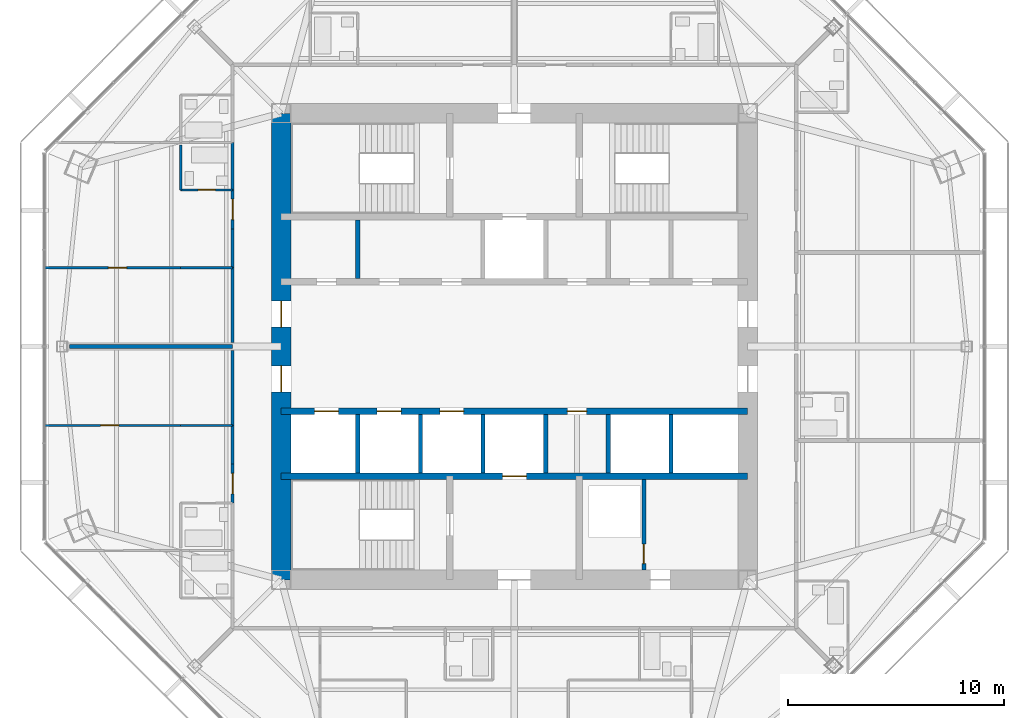
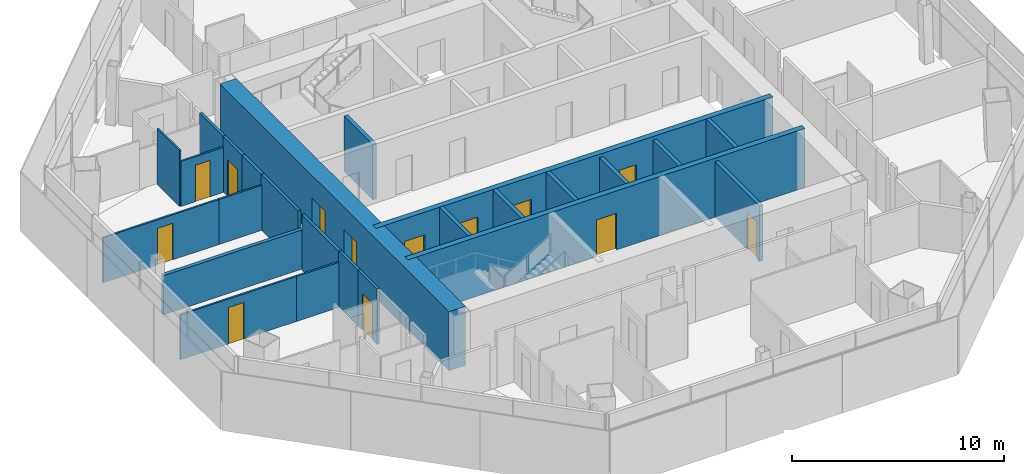
# One storey, part 10 of 15: 25 walls, 13 doors, 13 openings.
"""IFC4 building model written with IfcOpenShell, lengths in metres."""

from ifc_helpers import new_model, si_unit, direction, frame, frame_2d, origin, place, context, subcontext, project, spatial, rectangle, extrude, material, layer, layer_set, type_object, element, fill, save


model = new_model("IFC4")

# Units and contexts
model_context = context("Model", 3, precision=1e-05, world=origin(), true_north=direction((0.0, 1.0)))
body_context = subcontext(model_context, "Body", "Model", "MODEL_VIEW")
ifc_project = project(units=[si_unit("LENGTHUNIT", "METRE"), si_unit("AREAUNIT", "SQUARE_METRE"), si_unit("VOLUMEUNIT", "CUBIC_METRE"), si_unit("PLANEANGLEUNIT", "RADIAN"), si_unit("MASSUNIT", "GRAM", prefix="KILO")], contexts=[model_context])

# Site, building, storey
site_placement = place(None, origin())
site = spatial("IfcSite", under=ifc_project, at=site_placement, CompositionType="ELEMENT")
building_placement = place(site_placement, origin())
building = spatial("IfcBuilding", under=site, at=building_placement, Name="Mashrafa Tower", CompositionType="ELEMENT")
storey_placement = place(building_placement, frame((0.0, 0.0, 221.0)))
storey = spatial("IfcBuildingStorey", under=building, at=storey_placement, Name="L51", CompositionType="ELEMENT", Elevation=221.0)

# Wall
ifc_material_1 = material(Name="Gypsum board on steel studs", Category="steel")
ifc_layer_1 = layer(ifc_material_1, 0.199951171875)
ifc_layer_set_1 = layer_set([ifc_layer_1], Name="Acoustic partition 200 1 hr")
wall_type_1 = type_object("IfcWallType", Name="Acoustic partition 200 1 hr", PredefinedType="PARTITIONING", material=ifc_layer_set_1)
wall_1_placement = place(storey_placement, frame((-20.59765625, 0.0, 0.0), z_axis=(0.0, 0.0, 1.0), x_axis=(1.0, 0.0, 0.0)))
element("IfcWall", 1, at=wall_1_placement, inside=storey, type_object=wall_type_1, Name="Acoustic wall L51-097", PredefinedType="PARTITIONING", context=body_context, shape_type="SweptSolid", body=[
    extrude(rectangle(XDim=7.547607421875, YDim=0.199951171875, at=frame_2d((3.77392578125, 0.0))), origin(), (0.0, 0.0, 1.0), 2.2529296875),
])

# Wall, opening, door
ifc_material_2 = material(Name="Concrete masonry unit", Category="masonry")
ifc_layer_2 = layer(ifc_material_2, 0.199951171875)
ifc_layer_set_2 = layer_set([ifc_layer_2], Name="Blockwork wall 200 2 hr")
wall_type_2 = type_object("IfcWallType", Name="Blockwork wall 200 2 hr", PredefinedType="PARTITIONING", material=ifc_layer_set_2)
wall_2_placement = place(storey_placement, frame((6.0, -10.35009765625, 0.0), z_axis=(0.0, 0.0, 1.0), x_axis=(0.0, 1.0, 0.0)))
wall_2 = element("IfcWall", 2, at=wall_2_placement, inside=storey, type_object=wall_type_2, Name="Riser enclosure wall L51", PredefinedType="PARTITIONING", context=body_context, shape_type="SweptSolid", body=[
    extrude(rectangle(XDim=4.2001953125, YDim=0.199951171875, at=frame_2d((2.10009765625, 0.0))), origin(), (0.0, 0.0, 1.0), 3.199951171875),
])
opening_1_placement = place(wall_2_placement, frame((0.300048828125, 0.0, 0.0)))
opening_1 = element("IfcOpeningElement", 3, at=opening_1_placement, cuts=wall_2, Name="Opening 51.040", PredefinedType="OPENING", context=body_context, shape_type="SweptSolid", body=[
    extrude(rectangle(XDim=0.89990234375, YDim=2.10009765625, at=frame_2d((0.449951171875, 1.050048828125))), frame((0.0, 0.10986328125, 0.0), z_axis=(0.0, -1.0, 0.0), x_axis=(1.0, 0.0, 0.0)), (0.0, 0.0, 1.0), 0.219970703125),
])
ifc_material_3 = material(Name="Steel door", Category="steel")
door_type_1 = type_object("IfcDoorType", Name="Service door 900 x 2100 90 min", OperationType="USERDEFINED", PredefinedType="DOOR", material=ifc_material_3)
door_1_placement = place(opening_1_placement, origin())
door_1 = element("IfcDoor", 4, at=door_1_placement, inside=storey, type_object=door_type_1, Name="Riser door L51", OperationType="SINGLE_SWING_LEFT", OverallHeight=2.10009765625, OverallWidth=0.89990234375, PredefinedType="DOOR", context=body_context, shape_type="SweptSolid", body=[
    extrude(rectangle(XDim=0.89990234375, YDim=2.10009765625, at=frame_2d((0.449951171875, 1.050048828125))), frame((0.0, 0.02490234375, 0.0), z_axis=(0.0, -1.0, 0.0), x_axis=(1.0, 0.0, 0.0)), (0.0, 0.0, 1.0), 0.050048828125),
])
fill(opening_1, door_1)

# Wall, openings, doors
ifc_material_4 = material(Name="Concrete C50/60", Category="concrete")
ifc_layer_3 = layer(ifc_material_4, 0.300048828125)
ifc_layer_set_3 = layer_set([ifc_layer_3], Name="Core wall 300 C50/60")
wall_type_3 = type_object("IfcWallType", Name="Core wall 300 C50/60", PredefinedType="SOLIDWALL", material=ifc_layer_set_3)
wall_3_placement = place(storey_placement, frame((-10.800048828125, -3.0, 0.0), z_axis=(0.0, 0.0, 1.0), x_axis=(1.0, 0.0, 0.0)))
wall_3 = element("IfcWall", 5, at=wall_3_placement, inside=storey, type_object=wall_type_3, Name="Core wall CH-S L51", PredefinedType="SOLIDWALL", context=body_context, shape_type="SweptSolid", body=[
    extrude(rectangle(XDim=21.60009765625, YDim=0.300048828125, at=frame_2d((10.800048828125, 0.0))), origin(), (0.0, 0.0, 1.0), 3.39990234375),
])
opening_2_placement = place(wall_3_placement, frame((13.25, 0.0, 0.0)))
opening_2 = element("IfcOpeningElement", 6, at=opening_2_placement, cuts=wall_3, Name="Opening 51.045", PredefinedType="OPENING", context=body_context, shape_type="SweptSolid", body=[
    extrude(rectangle(XDim=0.89990234375, YDim=2.10009765625, at=frame_2d((0.449951171875, 1.050048828125))), frame((0.0, 0.159912109375, 0.0), z_axis=(0.0, -1.0, 0.0), x_axis=(1.0, 0.0, 0.0)), (0.0, 0.0, 1.0), 0.320068359375),
])
opening_3_placement = place(wall_3_placement, frame((1.550048828125, 0.0, 0.0)))
opening_3 = element("IfcOpeningElement", 7, at=opening_3_placement, cuts=wall_3, Name="Opening 51.AL1", PredefinedType="OPENING", context=body_context, shape_type="SweptSolid", body=[
    extrude(rectangle(XDim=1.10009765625, YDim=2.10009765625, at=frame_2d((0.550048828125, 1.050048828125))), frame((0.0, 0.159912109375, 0.0), z_axis=(0.0, -1.0, 0.0), x_axis=(1.0, 0.0, 0.0)), (0.0, 0.0, 1.0), 0.320068359375),
])
opening_4_placement = place(wall_3_placement, frame((4.449951171875, 0.0, 0.0)))
opening_4 = element("IfcOpeningElement", 8, at=opening_4_placement, cuts=wall_3, Name="Opening 51.AL2", PredefinedType="OPENING", context=body_context, shape_type="SweptSolid", body=[
    extrude(rectangle(XDim=1.10009765625, YDim=2.10009765625, at=frame_2d((0.550048828125, 1.050048828125))), frame((0.0, 0.159912109375, 0.0), z_axis=(0.0, -1.0, 0.0), x_axis=(1.0, 0.0, 0.0)), (0.0, 0.0, 1.0), 0.320068359375),
])
opening_5_placement = place(wall_3_placement, frame((7.35009765625, 0.0, 0.0)))
opening_5 = element("IfcOpeningElement", 9, at=opening_5_placement, cuts=wall_3, Name="Opening 51.AL3", PredefinedType="OPENING", context=body_context, shape_type="SweptSolid", body=[
    extrude(rectangle(XDim=1.10009765625, YDim=2.10009765625, at=frame_2d((0.550048828125, 1.050048828125))), frame((0.0, 0.159912109375, 0.0), z_axis=(0.0, -1.0, 0.0), x_axis=(1.0, 0.0, 0.0)), (0.0, 0.0, 1.0), 0.320068359375),
])
ifc_material_5 = material(Name="Steel door", Category="steel")
door_type_2 = type_object("IfcDoorType", Name="Lift landing door 1100 x 2100 90 min", OperationType="DOUBLE_DOOR_SLIDING", PredefinedType="DOOR", material=ifc_material_5)
door_2_placement = place(opening_3_placement, origin())
door_2 = element("IfcDoor", 10, at=door_2_placement, inside=storey, type_object=door_type_2, Name="Lift landing door AL1 L51", OperationType="DOUBLE_DOOR_SLIDING", OverallHeight=2.10009765625, OverallWidth=1.10009765625, PredefinedType="DOOR", context=body_context, shape_type="SweptSolid", body=[
    extrude(rectangle(XDim=1.10009765625, YDim=2.10009765625, at=frame_2d((0.550048828125, 1.050048828125))), frame((0.0, 0.02490234375, 0.0), z_axis=(0.0, -1.0, 0.0), x_axis=(1.0, 0.0, 0.0)), (0.0, 0.0, 1.0), 0.050048828125),
])
fill(opening_3, door_2)
door_3_placement = place(opening_4_placement, origin())
door_3 = element("IfcDoor", 11, at=door_3_placement, inside=storey, type_object=door_type_2, Name="Lift landing door AL2 L51", OperationType="DOUBLE_DOOR_SLIDING", OverallHeight=2.10009765625, OverallWidth=1.10009765625, PredefinedType="DOOR", context=body_context, shape_type="SweptSolid", body=[
    extrude(rectangle(XDim=1.10009765625, YDim=2.10009765625, at=frame_2d((0.550048828125, 1.050048828125))), frame((0.0, 0.02490234375, 0.0), z_axis=(0.0, -1.0, 0.0), x_axis=(1.0, 0.0, 0.0)), (0.0, 0.0, 1.0), 0.050048828125),
])
fill(opening_4, door_3)
door_4_placement = place(opening_5_placement, origin())
door_4 = element("IfcDoor", 12, at=door_4_placement, inside=storey, type_object=door_type_2, Name="Lift landing door AL3 L51", OperationType="DOUBLE_DOOR_SLIDING", OverallHeight=2.10009765625, OverallWidth=1.10009765625, PredefinedType="DOOR", context=body_context, shape_type="SweptSolid", body=[
    extrude(rectangle(XDim=1.10009765625, YDim=2.10009765625, at=frame_2d((0.550048828125, 1.050048828125))), frame((0.0, 0.02490234375, 0.0), z_axis=(0.0, -1.0, 0.0), x_axis=(1.0, 0.0, 0.0)), (0.0, 0.0, 1.0), 0.050048828125),
])
fill(opening_5, door_4)
ifc_material_6 = material(Name="Timber door", Category="wood")
door_type_3 = type_object("IfcDoorType", Name="Store door 900 x 2100", OperationType="USERDEFINED", PredefinedType="DOOR", material=ifc_material_6)
door_5_placement = place(opening_2_placement, frame((0.89990234375, 0.0, 0.0), z_axis=(0.0, 0.0, 1.0), x_axis=(-1.0, 0.0, 0.0)))
door_5 = element("IfcDoor", 13, at=door_5_placement, inside=storey, type_object=door_type_3, Name="Communications Room L51 door", OperationType="SINGLE_SWING_RIGHT", OverallHeight=2.10009765625, OverallWidth=0.89990234375, PredefinedType="DOOR", context=body_context, shape_type="SweptSolid", body=[
    extrude(rectangle(XDim=0.89990234375, YDim=2.10009765625, at=frame_2d((0.449951171875, 1.050048828125))), frame((0.0, 0.02490234375, 0.0), z_axis=(0.0, -1.0, 0.0), x_axis=(1.0, 0.0, 0.0)), (0.0, 0.0, 1.0), 0.050048828125),
])
fill(opening_2, door_5)

# Wall, opening, door
wall_4_placement = place(storey_placement, frame((-10.800048828125, -6.0, 0.0), z_axis=(0.0, 0.0, 1.0), x_axis=(1.0, 0.0, 0.0)))
wall_4 = element("IfcWall", 14, at=wall_4_placement, inside=storey, type_object=wall_type_3, Name="Core wall CB-S L51", PredefinedType="SOLIDWALL", context=body_context, shape_type="SweptSolid", body=[
    extrude(rectangle(XDim=21.60009765625, YDim=0.300048828125, at=frame_2d((10.800048828125, 0.0))), origin(), (0.0, 0.0, 1.0), 3.39990234375),
])
opening_6_placement = place(wall_4_placement, frame((10.25, 0.0, 0.0)))
opening_6 = element("IfcOpeningElement", 15, at=opening_6_placement, cuts=wall_4, Name="Opening 51.F2", PredefinedType="OPENING", context=body_context, shape_type="SweptSolid", body=[
    extrude(rectangle(XDim=1.10009765625, YDim=2.10009765625, at=frame_2d((0.550048828125, 1.050048828125))), frame((0.0, 0.159912109375, 0.0), z_axis=(0.0, -1.0, 0.0), x_axis=(1.0, 0.0, 0.0)), (0.0, 0.0, 1.0), 0.320068359375),
])
door_6_placement = place(opening_6_placement, origin())
door_6 = element("IfcDoor", 16, at=door_6_placement, inside=storey, type_object=door_type_2, Name="Lift landing door F2 L51", OperationType="DOUBLE_DOOR_SLIDING", OverallHeight=2.10009765625, OverallWidth=1.10009765625, PredefinedType="DOOR", context=body_context, shape_type="SweptSolid", body=[
    extrude(rectangle(XDim=1.10009765625, YDim=2.10009765625, at=frame_2d((0.550048828125, 1.050048828125))), frame((0.0, 0.02490234375, 0.0), z_axis=(0.0, -1.0, 0.0), x_axis=(1.0, 0.0, 0.0)), (0.0, 0.0, 1.0), 0.050048828125),
])
fill(opening_6, door_6)

# Wall, openings, doors
ifc_material_7 = material(Name="Concrete C50/60", Category="concrete")
ifc_layer_4 = layer(ifc_material_7, 0.89990234375)
ifc_layer_set_4 = layer_set([ifc_layer_4], Name="Core wall 900 C50/60")
wall_type_4 = type_object("IfcWallType", Name="Core wall 900 C50/60", PredefinedType="SOLIDWALL", material=ifc_layer_set_4)
wall_5_placement = place(storey_placement, frame((-10.800048828125, 10.800048828125, 0.0), z_axis=(0.0, 0.0, 1.0), x_axis=(0.0, -1.0, 0.0)))
wall_5 = element("IfcWall", 17, at=wall_5_placement, inside=storey, type_object=wall_type_4, Name="Core wall CW-W L51", PredefinedType="SOLIDWALL", context=body_context, shape_type="SweptSolid", body=[
    extrude(rectangle(XDim=21.60009765625, YDim=0.89990234375, at=frame_2d((10.800048828125, 0.0))), origin(), (0.0, 0.0, 1.0), 3.39990234375),
])
opening_7_placement = place(wall_5_placement, frame((8.699951171875, 0.0, 0.0)))
opening_7 = element("IfcOpeningElement", 18, at=opening_7_placement, cuts=wall_5, Name="Opening 51.031", PredefinedType="OPENING", context=body_context, shape_type="SweptSolid", body=[
    extrude(rectangle(XDim=1.199951171875, YDim=2.10009765625, at=frame_2d((0.60009765625, 1.050048828125))), frame((0.0, 0.4599609375, 0.0), z_axis=(0.0, -1.0, 0.0), x_axis=(1.0, 0.0, 0.0)), (0.0, 0.0, 1.0), 0.919921875),
])
opening_8_placement = place(wall_5_placement, frame((11.699951171875, 0.0, 0.0)))
opening_8 = element("IfcOpeningElement", 19, at=opening_8_placement, cuts=wall_5, Name="Opening 51.033", PredefinedType="OPENING", context=body_context, shape_type="SweptSolid", body=[
    extrude(rectangle(XDim=1.199951171875, YDim=2.10009765625, at=frame_2d((0.60009765625, 1.050048828125))), frame((0.0, 0.4599609375, 0.0), z_axis=(0.0, -1.0, 0.0), x_axis=(1.0, 0.0, 0.0)), (0.0, 0.0, 1.0), 0.919921875),
])
ifc_material_8 = material(Name="Steel door", Category="steel")
door_type_4 = type_object("IfcDoorType", Name="Lift hall door 1200 x 2100 90 min", OperationType="USERDEFINED", PredefinedType="DOOR", material=ifc_material_8)
door_7_placement = place(opening_7_placement, frame((1.199951171875, 0.0, 0.0), z_axis=(0.0, 0.0, 1.0), x_axis=(-1.0, 0.0, 0.0)))
door_7 = element("IfcDoor", 20, at=door_7_placement, inside=storey, type_object=door_type_4, Name="Lift hall door west L51", OperationType="SINGLE_SWING_RIGHT", OverallHeight=2.10009765625, OverallWidth=1.199951171875, PredefinedType="DOOR", context=body_context, shape_type="SweptSolid", body=[
    extrude(rectangle(XDim=1.199951171875, YDim=2.10009765625, at=frame_2d((0.60009765625, 1.050048828125))), frame((0.0, 0.02490234375, 0.0), z_axis=(0.0, -1.0, 0.0), x_axis=(1.0, 0.0, 0.0)), (0.0, 0.0, 1.0), 0.050048828125),
])
fill(opening_7, door_7)
door_8_placement = place(opening_8_placement, frame((1.199951171875, 0.0, 0.0), z_axis=(0.0, 0.0, 1.0), x_axis=(-1.0, 0.0, 0.0)))
door_8 = element("IfcDoor", 21, at=door_8_placement, inside=storey, type_object=door_type_4, Name="Lift hall door west L51", OperationType="SINGLE_SWING_LEFT", OverallHeight=2.10009765625, OverallWidth=1.199951171875, PredefinedType="DOOR", context=body_context, shape_type="SweptSolid", body=[
    extrude(rectangle(XDim=1.199951171875, YDim=2.10009765625, at=frame_2d((0.60009765625, 1.050048828125))), frame((0.0, 0.02490234375, 0.0), z_axis=(0.0, -1.0, 0.0), x_axis=(1.0, 0.0, 0.0)), (0.0, 0.0, 1.0), 0.050048828125),
])
fill(opening_8, door_8)

# Walls
ifc_material_9 = material(Name="Gypsum board on steel studs", Category="steel")
ifc_layer_5 = layer(ifc_material_9, 0.14990234375)
ifc_layer_set_5 = layer_set([ifc_layer_5], Name="Corridor partition 150 1 hr")
wall_type_5 = type_object("IfcWallType", Name="Corridor partition 150 1 hr", PredefinedType="PARTITIONING", material=ifc_layer_set_5)
wall_6_placement = place(storey_placement, frame((-13.050048828125, 9.450927734375, 0.0), z_axis=(0.0, 0.0, 1.0), x_axis=(0.0, -1.0, 0.0)))
element("IfcWall", 22, at=wall_6_placement, inside=storey, type_object=wall_type_5, Name="Corridor wall L51-036", PredefinedType="PARTITIONING", context=body_context, shape_type="SweptSolid", body=[
    extrude(rectangle(XDim=2.201904296875, YDim=0.14990234375, at=frame_2d((1.10107421875, 0.0))), origin(), (0.0, 0.0, 1.0), 3.199951171875),
])
wall_7_placement = place(storey_placement, frame((-13.050048828125, 5.450927734375, 0.0), z_axis=(0.0, 0.0, 1.0), x_axis=(0.0, -1.0, 0.0)))
element("IfcWall", 23, at=wall_7_placement, inside=storey, type_object=wall_type_5, Name="Corridor wall L51-037", PredefinedType="PARTITIONING", context=body_context, shape_type="SweptSolid", body=[
    extrude(rectangle(XDim=1.802001953125, YDim=0.14990234375, at=frame_2d((0.90087890625, 0.0))), origin(), (0.0, 0.0, 1.0), 3.199951171875),
])
wall_8_placement = place(storey_placement, frame((-13.050048828125, 3.65087890625, 0.0), z_axis=(0.0, 0.0, 1.0), x_axis=(0.0, -1.0, 0.0)))
element("IfcWall", 24, at=wall_8_placement, inside=storey, type_object=wall_type_5, Name="Corridor wall L51-038", PredefinedType="PARTITIONING", context=body_context, shape_type="SweptSolid", body=[
    extrude(rectangle(XDim=3.46728515625, YDim=0.14990234375, at=frame_2d((1.733642578125, 0.0))), origin(), (0.0, 0.0, 1.0), 3.199951171875),
])

# Wall, opening, door
wall_9_placement = place(storey_placement, frame((-13.050048828125, 7.2509765625, 0.0), z_axis=(0.0, 0.0, 1.0), x_axis=(0.0, -1.0, 0.0)))
wall_9 = element("IfcWall", 25, at=wall_9_placement, inside=storey, type_object=wall_type_5, Name="Corridor wall L51-039", PredefinedType="PARTITIONING", context=body_context, shape_type="SweptSolid", body=[
    extrude(rectangle(XDim=1.802001953125, YDim=0.14990234375, at=frame_2d((0.90087890625, 0.0))), origin(), (0.0, 0.0, 1.0), 3.199951171875),
])
opening_9_placement = place(wall_9_placement, frame((0.426025390625, 0.0, 0.0)))
opening_9 = element("IfcOpeningElement", 26, at=opening_9_placement, cuts=wall_9, Name="Opening 51.017", PredefinedType="OPENING", context=body_context, shape_type="SweptSolid", body=[
    extrude(rectangle(XDim=0.949951171875, YDim=2.10009765625, at=frame_2d((0.47509765625, 1.050048828125))), frame((0.0, 0.0849609375, 0.0), z_axis=(0.0, -1.0, 0.0), x_axis=(1.0, 0.0, 0.0)), (0.0, 0.0, 1.0), 0.169921875),
])
ifc_material_10 = material(Name="Steel door", Category="steel")
door_type_5 = type_object("IfcDoorType", Name="Residence entrance door 950 x 2100 20 min", OperationType="USERDEFINED", PredefinedType="DOOR", material=ifc_material_10)
door_9_placement = place(opening_9_placement, frame((0.949951171875, 0.0, 0.0), z_axis=(0.0, 0.0, 1.0), x_axis=(-1.0, 0.0, 0.0)))
door_9 = element("IfcDoor", 27, at=door_9_placement, inside=storey, type_object=door_type_5, Name="Apartment 5106 Living Room door", OperationType="SINGLE_SWING_LEFT", OverallHeight=2.10009765625, OverallWidth=0.949951171875, PredefinedType="DOOR", context=body_context, shape_type="SweptSolid", body=[
    extrude(rectangle(XDim=0.949951171875, YDim=2.10009765625, at=frame_2d((0.47509765625, 1.050048828125))), frame((0.0, 0.02490234375, 0.0), z_axis=(0.0, -1.0, 0.0), x_axis=(1.0, 0.0, 0.0)), (0.0, 0.0, 1.0), 0.050048828125),
])
fill(opening_9, door_9)

# Walls
wall_10_placement = place(storey_placement, frame((-13.050048828125, -3.64892578125, 0.0), z_axis=(0.0, 0.0, 1.0), x_axis=(0.0, -1.0, 0.0)))
element("IfcWall", 28, at=wall_10_placement, inside=storey, type_object=wall_type_5, Name="Corridor wall L51-045", PredefinedType="PARTITIONING", context=body_context, shape_type="SweptSolid", body=[
    extrude(rectangle(XDim=1.802001953125, YDim=0.14990234375, at=frame_2d((0.90087890625, 0.0))), origin(), (0.0, 0.0, 1.0), 3.199951171875),
])
wall_11_placement = place(storey_placement, frame((-13.050048828125, -0.18359375, 0.0), z_axis=(0.0, 0.0, 1.0), x_axis=(0.0, -1.0, 0.0)))
element("IfcWall", 29, at=wall_11_placement, inside=storey, type_object=wall_type_5, Name="Corridor wall L51-046", PredefinedType="PARTITIONING", context=body_context, shape_type="SweptSolid", body=[
    extrude(rectangle(XDim=3.46728515625, YDim=0.14990234375, at=frame_2d((1.733642578125, 0.0))), origin(), (0.0, 0.0, 1.0), 3.199951171875),
])

# Wall, opening, door
wall_12_placement = place(storey_placement, frame((-13.050048828125, -5.448974609375, 0.0), z_axis=(0.0, 0.0, 1.0), x_axis=(0.0, -1.0, 0.0)))
wall_12 = element("IfcWall", 30, at=wall_12_placement, inside=storey, type_object=wall_type_5, Name="Corridor wall L51-047", PredefinedType="PARTITIONING", context=body_context, shape_type="SweptSolid", body=[
    extrude(rectangle(XDim=1.802001953125, YDim=0.14990234375, at=frame_2d((0.90087890625, 0.0))), origin(), (0.0, 0.0, 1.0), 3.199951171875),
])
opening_10_placement = place(wall_12_placement, frame((0.426025390625, 0.0, 0.0)))
opening_10 = element("IfcOpeningElement", 31, at=opening_10_placement, cuts=wall_12, Name="Opening 51.022", PredefinedType="OPENING", context=body_context, shape_type="SweptSolid", body=[
    extrude(rectangle(XDim=0.949951171875, YDim=2.10009765625, at=frame_2d((0.47509765625, 1.050048828125))), frame((0.0, 0.0849609375, 0.0), z_axis=(0.0, -1.0, 0.0), x_axis=(1.0, 0.0, 0.0)), (0.0, 0.0, 1.0), 0.169921875),
])
door_10_placement = place(opening_10_placement, frame((0.949951171875, 0.0, 0.0), z_axis=(0.0, 0.0, 1.0), x_axis=(-1.0, 0.0, 0.0)))
door_10 = element("IfcDoor", 32, at=door_10_placement, inside=storey, type_object=door_type_5, Name="Apartment 5107 Living Room door", OperationType="SINGLE_SWING_RIGHT", OverallHeight=2.10009765625, OverallWidth=0.949951171875, PredefinedType="DOOR", context=body_context, shape_type="SweptSolid", body=[
    extrude(rectangle(XDim=0.949951171875, YDim=2.10009765625, at=frame_2d((0.47509765625, 1.050048828125))), frame((0.0, 0.02490234375, 0.0), z_axis=(0.0, -1.0, 0.0), x_axis=(1.0, 0.0, 0.0)), (0.0, 0.0, 1.0), 0.050048828125),
])
fill(opening_10, door_10)

# Wall
ifc_material_11 = material(Name="Gypsum board on steel studs", Category="steel")
ifc_layer_6 = layer(ifc_material_11, 0.10009765625)
ifc_layer_set_6 = layer_set([ifc_layer_6], Name="Partition 100")
wall_type_6 = type_object("IfcWallType", Name="Partition 100", PredefinedType="PARTITIONING", material=ifc_layer_set_6)
wall_13_placement = place(storey_placement, frame((-15.449951171875, 9.33740234375, 0.0), z_axis=(0.0, 0.0, 1.0), x_axis=(0.0, -1.0, 0.0)))
element("IfcWall", 33, at=wall_13_placement, inside=storey, type_object=wall_type_6, Name="Partition wall L51-093", PredefinedType="PARTITIONING", context=body_context, shape_type="SweptSolid", body=[
    extrude(rectangle(XDim=2.08740234375, YDim=0.10009765625, at=frame_2d((1.043701171875, 0.0))), origin(), (0.0, 0.0, 1.0), 3.199951171875),
])

# Wall, opening, door
wall_14_placement = place(storey_placement, frame((-15.449951171875, 7.25, 0.0), z_axis=(0.0, 0.0, 1.0), x_axis=(1.0, 0.0, 0.0)))
wall_14 = element("IfcWall", 34, at=wall_14_placement, inside=storey, type_object=wall_type_6, Name="Partition wall L51-094", PredefinedType="PARTITIONING", context=body_context, shape_type="SweptSolid", body=[
    extrude(rectangle(XDim=2.39990234375, YDim=0.10009765625, at=frame_2d((1.199951171875, 0.0))), origin(), (0.0, 0.0, 1.0), 2.590576171875),
])
opening_11_placement = place(wall_14_placement, frame((0.800048828125, 0.0, 0.0)))
opening_11 = element("IfcOpeningElement", 35, at=opening_11_placement, cuts=wall_14, Name="Opening 51.015", PredefinedType="OPENING", context=body_context, shape_type="SweptSolid", body=[
    extrude(rectangle(XDim=0.800048828125, YDim=2.10009765625, at=frame_2d((0.39990234375, 1.050048828125))), frame((0.0, 0.06005859375, 0.0), z_axis=(0.0, -1.0, 0.0), x_axis=(1.0, 0.0, 0.0)), (0.0, 0.0, 1.0), 0.1201171875),
])
ifc_material_12 = material(Name="Timber door", Category="wood")
door_type_6 = type_object("IfcDoorType", Name="Bathroom door 800 x 2100", OperationType="USERDEFINED", PredefinedType="DOOR", material=ifc_material_12)
door_11_placement = place(opening_11_placement, origin())
door_11 = element("IfcDoor", 36, at=door_11_placement, inside=storey, type_object=door_type_6, Name="Apartment 5106 Bathroom door", OperationType="SINGLE_SWING_RIGHT", OverallHeight=2.10009765625, OverallWidth=0.800048828125, PredefinedType="DOOR", context=body_context, shape_type="SweptSolid", body=[
    extrude(rectangle(XDim=0.800048828125, YDim=2.10009765625, at=frame_2d((0.39990234375, 1.050048828125))), frame((0.0, 0.02490234375, 0.0), z_axis=(0.0, -1.0, 0.0), x_axis=(1.0, 0.0, 0.0)), (0.0, 0.0, 1.0), 0.050048828125),
])
fill(opening_11, door_11)

# Wall
wall_15_placement = place(storey_placement, frame((-15.449951171875, 3.64990234375, 0.0), z_axis=(0.0, 0.0, 1.0), x_axis=(1.0, 0.0, 0.0)))
element("IfcWall", 37, at=wall_15_placement, inside=storey, type_object=wall_type_6, Name="Partition wall L51-095", PredefinedType="PARTITIONING", context=body_context, shape_type="SweptSolid", body=[
    extrude(rectangle(XDim=2.39990234375, YDim=0.10009765625, at=frame_2d((1.199951171875, 0.0))), origin(), (0.0, 0.0, 1.0), 2.590576171875),
])

# Wall, opening, door
wall_16_placement = place(storey_placement, frame((-15.448974609375, 3.64990234375, 0.0), z_axis=(0.0, 0.0, 1.0), x_axis=(-1.0, 0.0, 0.0)))
wall_16 = element("IfcWall", 38, at=wall_16_placement, inside=storey, type_object=wall_type_6, Name="Partition wall L51-096", PredefinedType="PARTITIONING", context=body_context, shape_type="SweptSolid", body=[
    extrude(rectangle(XDim=6.2978515625, YDim=0.10009765625, at=frame_2d((3.14892578125, 0.0))), origin(), (0.0, 0.0, 1.0), 2.590576171875),
])
opening_12_placement = place(wall_16_placement, frame((2.507080078125, 0.0, 0.0)))
opening_12 = element("IfcOpeningElement", 39, at=opening_12_placement, cuts=wall_16, Name="Opening 51.016", PredefinedType="OPENING", context=body_context, shape_type="SweptSolid", body=[
    extrude(rectangle(XDim=0.85009765625, YDim=2.10009765625, at=frame_2d((0.425048828125, 1.050048828125))), frame((0.0, 0.06005859375, 0.0), z_axis=(0.0, -1.0, 0.0), x_axis=(1.0, 0.0, 0.0)), (0.0, 0.0, 1.0), 0.1201171875),
])
ifc_material_13 = material(Name="Timber door", Category="wood")
door_type_7 = type_object("IfcDoorType", Name="Bedroom door 850 x 2100", OperationType="USERDEFINED", PredefinedType="DOOR", material=ifc_material_13)
door_12_placement = place(opening_12_placement, origin())
door_12 = element("IfcDoor", 40, at=door_12_placement, inside=storey, type_object=door_type_7, Name="Apartment 5106 Bedroom 2 door", OperationType="SINGLE_SWING_RIGHT", OverallHeight=2.10009765625, OverallWidth=0.85009765625, PredefinedType="DOOR", context=body_context, shape_type="SweptSolid", body=[
    extrude(rectangle(XDim=0.85009765625, YDim=2.10009765625, at=frame_2d((0.425048828125, 1.050048828125))), frame((0.0, 0.02490234375, 0.0), z_axis=(0.0, -1.0, 0.0), x_axis=(1.0, 0.0, 0.0)), (0.0, 0.0, 1.0), 0.050048828125),
])
fill(opening_12, door_12)

# Wall
wall_17_placement = place(storey_placement, frame((-13.050048828125, -3.64990234375, 0.0), z_axis=(0.0, 0.0, 1.0), x_axis=(-1.0, 0.0, 0.0)))
element("IfcWall", 41, at=wall_17_placement, inside=storey, type_object=wall_type_6, Name="Partition wall L51-108", PredefinedType="PARTITIONING", context=body_context, shape_type="SweptSolid", body=[
    extrude(rectangle(XDim=2.39990234375, YDim=0.10009765625, at=frame_2d((1.199951171875, 0.0))), origin(), (0.0, 0.0, 1.0), 2.590576171875),
])

# Wall, opening, door
wall_18_placement = place(storey_placement, frame((-21.746826171875, -3.64990234375, 0.0), z_axis=(0.0, 0.0, 1.0), x_axis=(1.0, 0.0, 0.0)))
wall_18 = element("IfcWall", 42, at=wall_18_placement, inside=storey, type_object=wall_type_6, Name="Partition wall L51-109", PredefinedType="PARTITIONING", context=body_context, shape_type="SweptSolid", body=[
    extrude(rectangle(XDim=6.2978515625, YDim=0.10009765625, at=frame_2d((3.14892578125, 0.0))), origin(), (0.0, 0.0, 1.0), 2.590576171875),
])
opening_13_placement = place(wall_18_placement, frame((2.5859375, 0.0, 0.0)))
opening_13 = element("IfcOpeningElement", 43, at=opening_13_placement, cuts=wall_18, Name="Opening 51.021", PredefinedType="OPENING", context=body_context, shape_type="SweptSolid", body=[
    extrude(rectangle(XDim=0.85009765625, YDim=2.10009765625, at=frame_2d((0.425048828125, 1.050048828125))), frame((0.0, 0.06005859375, 0.0), z_axis=(0.0, -1.0, 0.0), x_axis=(1.0, 0.0, 0.0)), (0.0, 0.0, 1.0), 0.1201171875),
])
door_13_placement = place(opening_13_placement, origin())
door_13 = element("IfcDoor", 44, at=door_13_placement, inside=storey, type_object=door_type_7, Name="Apartment 5107 Bedroom 2 door", OperationType="SINGLE_SWING_LEFT", OverallHeight=2.10009765625, OverallWidth=0.85009765625, PredefinedType="DOOR", context=body_context, shape_type="SweptSolid", body=[
    extrude(rectangle(XDim=0.85009765625, YDim=2.10009765625, at=frame_2d((0.425048828125, 1.050048828125))), frame((0.0, 0.02490234375, 0.0), z_axis=(0.0, -1.0, 0.0), x_axis=(1.0, 0.0, 0.0)), (0.0, 0.0, 1.0), 0.050048828125),
])
fill(opening_13, door_13)

# Walls
ifc_material_14 = material(Name="Gypsum shaft wall on steel studs", Category="steel")
ifc_layer_7 = layer(ifc_material_14, 0.199951171875)
ifc_layer_set_7 = layer_set([ifc_layer_7], Name="Shaft divider wall 200 2 hr")
wall_type_7 = type_object("IfcWallType", Name="Shaft divider wall 200 2 hr", PredefinedType="PARTITIONING", material=ifc_layer_set_7)
wall_19_placement = place(storey_placement, frame((-7.25, 3.14990234375, 0.0), z_axis=(0.0, 0.0, 1.0), x_axis=(0.0, 1.0, 0.0)))
element("IfcWall", 45, at=wall_19_placement, inside=storey, type_object=wall_type_7, Name="Shaft divider wall N1 L51", PredefinedType="PARTITIONING", context=body_context, shape_type="SweptSolid", body=[
    extrude(rectangle(XDim=2.7001953125, YDim=0.199951171875, at=frame_2d((1.35009765625, 0.0))), origin(), (0.0, 0.0, 1.0), 3.199951171875),
])
for number, where, z_axis, x_axis, name in (
    (46, (-7.25, -5.85009765625, 0.0), (0.0, 0.0, 1.0), (0.0, 1.0, 0.0), "Shaft divider wall S1 L51"),
    (47, (-4.35009765625, -5.85009765625, 0.0), (0.0, 0.0, 1.0), (0.0, 1.0, 0.0), "Shaft divider wall S2 L51"),
    (48, (-1.449951171875, -5.85009765625, 0.0), (0.0, 0.0, 1.0), (0.0, 1.0, 0.0), "Shaft divider wall S3 L51"),
):
    element("IfcWall", number, at=place(storey_placement, frame(where, z_axis=z_axis, x_axis=x_axis)), inside=storey, type_object=wall_type_7, Name=name, PredefinedType="PARTITIONING", context=body_context, shape_type="SweptSolid", body=[
        extrude(rectangle(XDim=2.7001953125, YDim=0.199951171875, at=frame_2d((1.35009765625, 0.0))), origin(), (0.0, 0.0, 1.0), 3.39990234375),
    ])
for number, where, z_axis, x_axis, name in (
    (49, (1.449951171875, -5.85009765625, 0.0), (0.0, 0.0, 1.0), (0.0, 1.0, 0.0), "Shaft divider wall S4 L51"),
    (50, (4.35009765625, -5.85009765625, 0.0), (0.0, 0.0, 1.0), (0.0, 1.0, 0.0), "Shaft divider wall S5 L51"),
):
    element("IfcWall", number, at=place(storey_placement, frame(where, z_axis=z_axis, x_axis=x_axis)), inside=storey, type_object=wall_type_7, Name=name, PredefinedType="PARTITIONING", context=body_context, shape_type="SweptSolid", body=[
        extrude(rectangle(XDim=2.7001953125, YDim=0.199951171875, at=frame_2d((1.35009765625, 0.0))), origin(), (0.0, 0.0, 1.0), 3.199951171875),
    ])
wall_20_placement = place(storey_placement, frame((7.25, -5.85009765625, 0.0), z_axis=(0.0, 0.0, 1.0), x_axis=(0.0, 1.0, 0.0)))
element("IfcWall", 51, at=wall_20_placement, inside=storey, type_object=wall_type_7, Name="Shaft divider wall S6 L51", PredefinedType="PARTITIONING", context=body_context, shape_type="SweptSolid", body=[
    extrude(rectangle(XDim=2.7001953125, YDim=0.199951171875, at=frame_2d((1.35009765625, 0.0))), origin(), (0.0, 0.0, 1.0), 3.39990234375),
])

save(model, "model.ifc")
